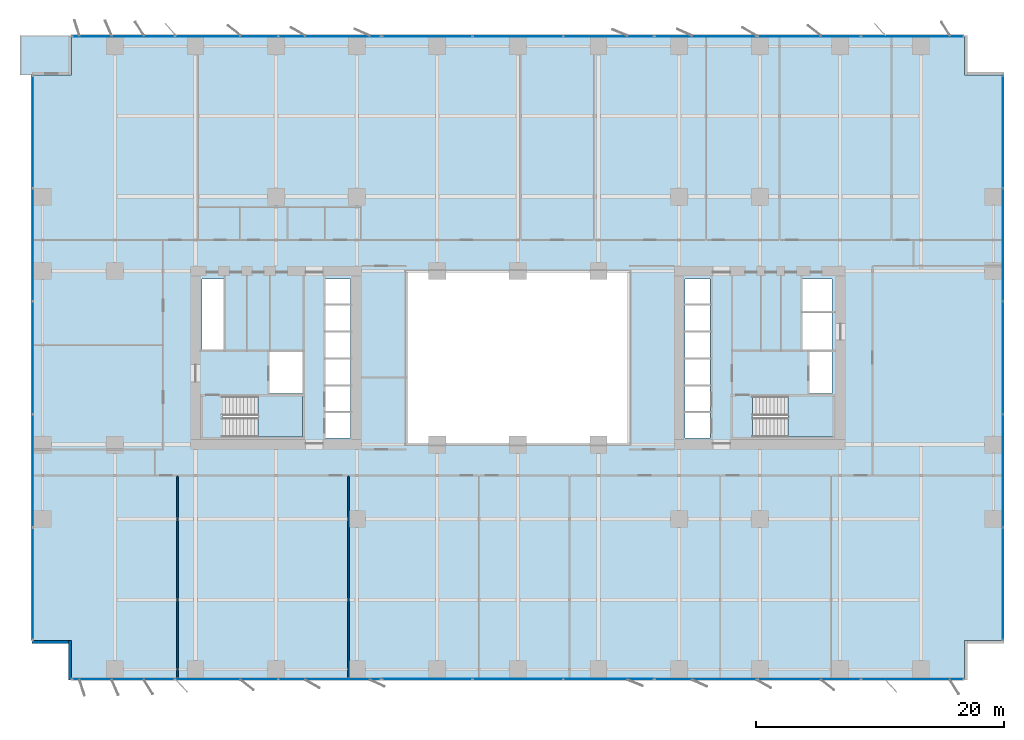
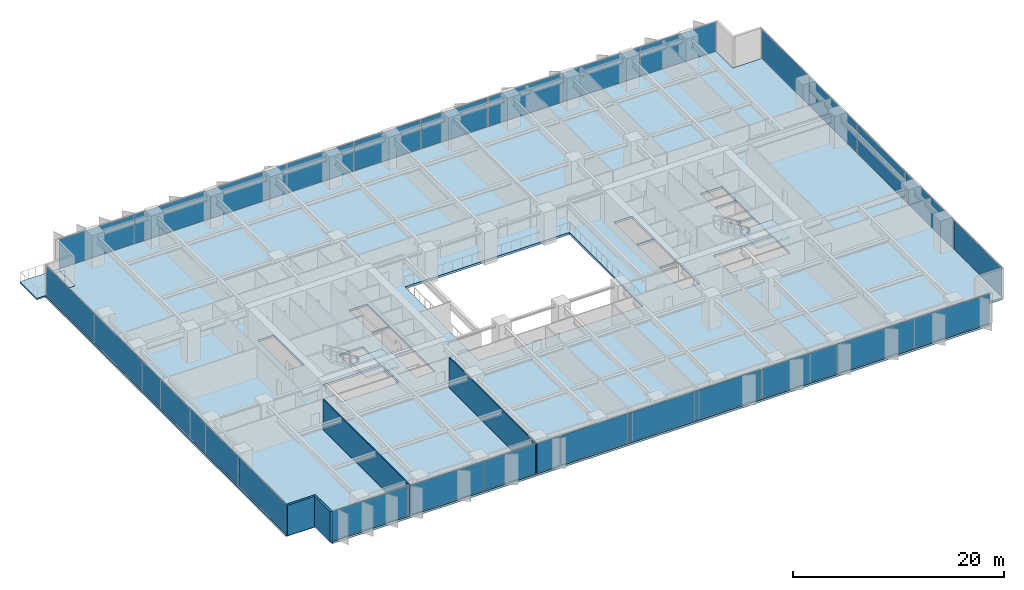
# One storey, part 12 of 20: 28 plates, 4 slabs, 4 walls, 10 elements without a shape of their own.
"""IFC4 building model written with IfcOpenShell, lengths in metres."""

from ifc_helpers import new_model, si_unit, direction, frame, frame_2d, origin, origin_2d, place, context, subcontext, project, spatial, polyline, rectangle, outline, extrude, material, layer, layer_set, type_object, element, aggregate, save


model = new_model("IFC4")

# Units and contexts
model_context = context("Model", 3, precision=1e-05, world=origin(), true_north=direction((0.0, 1.0)))
body_context = subcontext(model_context, "Body", "Model", "MODEL_VIEW")
ifc_project = project(units=[si_unit("LENGTHUNIT", "METRE"), si_unit("AREAUNIT", "SQUARE_METRE"), si_unit("VOLUMEUNIT", "CUBIC_METRE"), si_unit("PLANEANGLEUNIT", "RADIAN"), si_unit("MASSUNIT", "GRAM", prefix="KILO")], contexts=[model_context])

# Site, building, storey
site_placement = place(None, origin())
site = spatial("IfcSite", under=ifc_project, at=site_placement, CompositionType="ELEMENT")
building_placement = place(site_placement, origin())
building = spatial("IfcBuilding", under=site, at=building_placement, Name="Putna Gate Headquarters", CompositionType="ELEMENT")
storey_placement = place(building_placement, frame((0.0, 0.0, 77.199951171875)))
storey = spatial("IfcBuildingStorey", under=building, at=storey_placement, Name="L18", CompositionType="ELEMENT", Elevation=77.199951171875)

# Stair, slab
ifc_material_1 = material(Name="Concrete C40/50", Category="concrete")
stair_type_1 = type_object("IfcStairType", Name="STAIR-ST1", PredefinedType="HALF_TURN_STAIR", material=ifc_material_1)
stair_1_placement = place(storey_placement, origin())
stair_1 = element("IfcStair", 1, at=stair_1_placement, inside=storey, type_object=stair_type_1, Name="L18 West Core Exit Stair ST1", PredefinedType="HALF_TURN_STAIR")
ifc_layer_1 = layer(ifc_material_1, 0.199951171875)
ifc_layer_set_1 = layer_set([ifc_layer_1], Name="Concrete C40/50")
slab_type_1 = type_object("IfcSlabType", Name="LANDING-ST1", PredefinedType="LANDING", material=ifc_layer_set_1)
slab_1_placement = place(storey_placement, frame((0.0, 0.0, 1.699951171875)))
slab_1 = element("IfcSlab", 2, at=slab_1_placement, type_object=slab_type_1, Name="ST1 landing 1", PredefinedType="LANDING", context=body_context, shape_type="SweptSolid", body=[
    extrude(outline(polyline([(18.050048828125, 19.60009765625), (21.64990234375, 19.60009765625), (21.64990234375, 22.89990234375), (18.050048828125, 22.89990234375), (18.050048828125, 19.60009765625)])), origin(), (0.0, 0.0, 1.0), 0.2001953125),
])
aggregate(stair_1, [slab_1])

stair_type_2 = type_object("IfcStairType", Name="STAIR-ST2", PredefinedType="HALF_TURN_STAIR", material=ifc_material_1)
stair_2_placement = place(storey_placement, origin())
stair_2 = element("IfcStair", 3, at=stair_2_placement, inside=storey, type_object=stair_type_2, Name="L18 East Core Exit Stair ST2", PredefinedType="HALF_TURN_STAIR")
ifc_layer_2 = layer(ifc_material_1, 0.199951171875)
ifc_layer_set_2 = layer_set([ifc_layer_2], Name="Concrete C40/50")
slab_type_2 = type_object("IfcSlabType", Name="LANDING-ST2", PredefinedType="LANDING", material=ifc_layer_set_2)
slab_2_placement = place(storey_placement, frame((0.0, 0.0, 1.699951171875)))
slab_2 = element("IfcSlab", 4, at=slab_2_placement, type_object=slab_type_2, Name="ST2 landing 1", PredefinedType="LANDING", context=body_context, shape_type="SweptSolid", body=[
    extrude(outline(polyline([(60.800048828125, 19.60009765625), (64.39990234375, 19.60009765625), (64.39990234375, 22.89990234375), (60.800048828125, 22.89990234375), (60.800048828125, 19.60009765625)])), origin(), (0.0, 0.0, 1.0), 0.2001953125),
])
aggregate(stair_2, [slab_2])

# Curtain wall, plates
ifc_material_2 = material(Name="Anodised bronze aluminium curtain wall", Category="aluminium")
ifc_layer_3 = layer(ifc_material_2, 0.179931640625)
ifc_layer_set_3 = layer_set([ifc_layer_3], Name="Anodised bronze aluminium curtain wall")
curtain_wall_type_1 = type_object("IfcCurtainWallType", Name="CW-SYS-Z1", PredefinedType="USERDEFINED", material=ifc_layer_set_3)
curtain_wall_1_placement = place(storey_placement, origin())
curtain_wall_1 = element("IfcCurtainWall", 5, at=curtain_wall_1_placement, inside=storey, type_object=curtain_wall_type_1, Name="L18 South West Curtain Wall", ObjectType="STICK CURTAIN WALL", PredefinedType="USERDEFINED")
ifc_material_3 = material(Name="Solar-control triple low-E glass", Category="glass")
ifc_layer_4 = layer(ifc_material_3, 0.031982421875)
ifc_layer_set_4 = layer_set([ifc_layer_4], Name="Solar-control triple low-E glass")
plate_type_1 = type_object("IfcPlateType", Name="PAN-CWP-1", PredefinedType="CURTAIN_PANEL", material=ifc_layer_set_4)
plate_1_placement = place(storey_placement, frame((7.18408203125, 0.080078125, 0.06494140625), z_axis=(0.0, 0.0, 1.0), x_axis=(1.0, 0.0, 0.0)))
plate_1 = element("IfcPlate", 6, at=plate_1_placement, type_object=plate_type_1, Name="CWS-1 panel 1.1", PredefinedType="CURTAIN_PANEL", context=body_context, shape_type="SweptSolid", body=[
    extrude(rectangle(XDim=8.228271484375, YDim=0.031982421875, at=origin_2d()), origin(), (0.0, 0.0, 1.0), 3.389892578125),
])
plate_2_placement = place(storey_placement, frame((15.5, 0.080078125, 0.06494140625), z_axis=(0.0, 0.0, 1.0), x_axis=(1.0, 0.0, 0.0)))
plate_2 = element("IfcPlate", 7, at=plate_2_placement, type_object=plate_type_1, Name="CWS-1 panel 2.1", PredefinedType="CURTAIN_PANEL", context=body_context, shape_type="SweptSolid", body=[
    extrude(rectangle(XDim=8.263427734375, YDim=0.031982421875, at=origin_2d()), origin(), (0.0, 0.0, 1.0), 3.389892578125),
])
plate_3_placement = place(storey_placement, frame((23.81591796875, 0.080078125, 0.06494140625), z_axis=(0.0, 0.0, 1.0), x_axis=(1.0, 0.0, 0.0)))
plate_3 = element("IfcPlate", 8, at=plate_3_placement, type_object=plate_type_1, Name="CWS-1 panel 3.1", PredefinedType="CURTAIN_PANEL", context=body_context, shape_type="SweptSolid", body=[
    extrude(rectangle(XDim=8.228271484375, YDim=0.031982421875, at=origin_2d()), origin(), (0.0, 0.0, 1.0), 3.389892578125),
])
aggregate(curtain_wall_1, [plate_1, plate_2, plate_3])

curtain_wall_2_placement = place(storey_placement, origin())
curtain_wall_2 = element("IfcCurtainWall", 9, at=curtain_wall_2_placement, inside=storey, type_object=curtain_wall_type_1, Name="L18 South East Curtain Wall", ObjectType="STICK CURTAIN WALL", PredefinedType="USERDEFINED")
plate_4_placement = place(storey_placement, frame((54.18408203125, 0.080078125, 0.06494140625), z_axis=(0.0, 0.0, 1.0), x_axis=(1.0, 0.0, 0.0)))
plate_4 = element("IfcPlate", 10, at=plate_4_placement, type_object=plate_type_1, Name="CWS-1 panel 1.1", PredefinedType="CURTAIN_PANEL", context=body_context, shape_type="SweptSolid", body=[
    extrude(rectangle(XDim=8.228271484375, YDim=0.031982421875, at=origin_2d()), origin(), (0.0, 0.0, 1.0), 3.389892578125),
])
plate_5_placement = place(storey_placement, frame((62.5, 0.080078125, 0.06494140625), z_axis=(0.0, 0.0, 1.0), x_axis=(1.0, 0.0, 0.0)))
plate_5 = element("IfcPlate", 11, at=plate_5_placement, type_object=plate_type_1, Name="CWS-1 panel 2.1", PredefinedType="CURTAIN_PANEL", context=body_context, shape_type="SweptSolid", body=[
    extrude(rectangle(XDim=8.263427734375, YDim=0.031982421875, at=origin_2d()), origin(), (0.0, 0.0, 1.0), 3.389892578125),
])
plate_6_placement = place(storey_placement, frame((70.81591796875, 0.080078125, 0.06494140625), z_axis=(0.0, 0.0, 1.0), x_axis=(1.0, 0.0, 0.0)))
plate_6 = element("IfcPlate", 12, at=plate_6_placement, type_object=plate_type_1, Name="CWS-1 panel 3.1", PredefinedType="CURTAIN_PANEL", context=body_context, shape_type="SweptSolid", body=[
    extrude(rectangle(XDim=8.228271484375, YDim=0.031982421875, at=origin_2d()), origin(), (0.0, 0.0, 1.0), 3.389892578125),
])
aggregate(curtain_wall_2, [plate_4, plate_5, plate_6])

curtain_wall_3_placement = place(storey_placement, origin())
curtain_wall_3 = element("IfcCurtainWall", 13, at=curtain_wall_3_placement, inside=storey, type_object=curtain_wall_type_1, Name="L18 North West Curtain Wall", ObjectType="STICK CURTAIN WALL", PredefinedType="USERDEFINED")
plate_7_placement = place(storey_placement, frame((7.18408203125, 51.919921875, 0.06494140625), z_axis=(0.0, 0.0, 1.0), x_axis=(1.0, 0.0, 0.0)))
plate_7 = element("IfcPlate", 14, at=plate_7_placement, type_object=plate_type_1, Name="CWS-1 panel 1.1", PredefinedType="CURTAIN_PANEL", context=body_context, shape_type="SweptSolid", body=[
    extrude(rectangle(XDim=8.228271484375, YDim=0.031982421875, at=origin_2d()), origin(), (0.0, 0.0, 1.0), 3.389892578125),
])
plate_8_placement = place(storey_placement, frame((15.5, 51.919921875, 0.06494140625), z_axis=(0.0, 0.0, 1.0), x_axis=(1.0, 0.0, 0.0)))
plate_8 = element("IfcPlate", 15, at=plate_8_placement, type_object=plate_type_1, Name="CWS-1 panel 2.1", PredefinedType="CURTAIN_PANEL", context=body_context, shape_type="SweptSolid", body=[
    extrude(rectangle(XDim=8.263427734375, YDim=0.031982421875, at=origin_2d()), origin(), (0.0, 0.0, 1.0), 3.389892578125),
])
plate_9_placement = place(storey_placement, frame((23.81591796875, 51.919921875, 0.06494140625), z_axis=(0.0, 0.0, 1.0), x_axis=(1.0, 0.0, 0.0)))
plate_9 = element("IfcPlate", 16, at=plate_9_placement, type_object=plate_type_1, Name="CWS-1 panel 3.1", PredefinedType="CURTAIN_PANEL", context=body_context, shape_type="SweptSolid", body=[
    extrude(rectangle(XDim=8.228271484375, YDim=0.031982421875, at=origin_2d()), origin(), (0.0, 0.0, 1.0), 3.389892578125),
])
aggregate(curtain_wall_3, [plate_7, plate_8, plate_9])

curtain_wall_4_placement = place(storey_placement, origin())
curtain_wall_4 = element("IfcCurtainWall", 17, at=curtain_wall_4_placement, inside=storey, type_object=curtain_wall_type_1, Name="L18 North East Curtain Wall", ObjectType="STICK CURTAIN WALL", PredefinedType="USERDEFINED")
plate_10_placement = place(storey_placement, frame((54.18408203125, 51.919921875, 0.06494140625), z_axis=(0.0, 0.0, 1.0), x_axis=(1.0, 0.0, 0.0)))
plate_10 = element("IfcPlate", 18, at=plate_10_placement, type_object=plate_type_1, Name="CWS-1 panel 1.1", PredefinedType="CURTAIN_PANEL", context=body_context, shape_type="SweptSolid", body=[
    extrude(rectangle(XDim=8.228271484375, YDim=0.031982421875, at=origin_2d()), origin(), (0.0, 0.0, 1.0), 3.389892578125),
])
plate_11_placement = place(storey_placement, frame((62.5, 51.919921875, 0.06494140625), z_axis=(0.0, 0.0, 1.0), x_axis=(1.0, 0.0, 0.0)))
plate_11 = element("IfcPlate", 19, at=plate_11_placement, type_object=plate_type_1, Name="CWS-1 panel 2.1", PredefinedType="CURTAIN_PANEL", context=body_context, shape_type="SweptSolid", body=[
    extrude(rectangle(XDim=8.263427734375, YDim=0.031982421875, at=origin_2d()), origin(), (0.0, 0.0, 1.0), 3.389892578125),
])
plate_12_placement = place(storey_placement, frame((70.81591796875, 51.919921875, 0.06494140625), z_axis=(0.0, 0.0, 1.0), x_axis=(1.0, 0.0, 0.0)))
plate_12 = element("IfcPlate", 20, at=plate_12_placement, type_object=plate_type_1, Name="CWS-1 panel 3.1", PredefinedType="CURTAIN_PANEL", context=body_context, shape_type="SweptSolid", body=[
    extrude(rectangle(XDim=8.228271484375, YDim=0.031982421875, at=origin_2d()), origin(), (0.0, 0.0, 1.0), 3.389892578125),
])
aggregate(curtain_wall_4, [plate_10, plate_11, plate_12])

curtain_wall_5_placement = place(storey_placement, origin())
curtain_wall_5 = element("IfcCurtainWall", 21, at=curtain_wall_5_placement, inside=storey, type_object=curtain_wall_type_1, Name="L18 West Curtain Wall", ObjectType="STICK CURTAIN WALL", PredefinedType="USERDEFINED")
plate_13_placement = place(storey_placement, frame((-0.1201171875, 7.777587890625, 0.06494140625), z_axis=(0.0, 0.0, 1.0), x_axis=(0.0, 1.0, 0.0)))
plate_13 = element("IfcPlate", 22, at=plate_13_placement, type_object=plate_type_1, Name="CWS-1 panel 1.1", PredefinedType="CURTAIN_PANEL", context=body_context, shape_type="SweptSolid", body=[
    extrude(rectangle(XDim=9.014892578125, YDim=0.031982421875, at=origin_2d()), origin(), (0.0, 0.0, 1.0), 3.389892578125),
])
plate_14_placement = place(storey_placement, frame((-0.1201171875, 16.8798828125, 0.06494140625), z_axis=(0.0, 0.0, 1.0), x_axis=(0.0, 1.0, 0.0)))
plate_14 = element("IfcPlate", 23, at=plate_14_placement, type_object=plate_type_1, Name="CWS-1 panel 2.1", PredefinedType="CURTAIN_PANEL", context=body_context, shape_type="SweptSolid", body=[
    extrude(rectangle(XDim=9.050048828125, YDim=0.031982421875, at=origin_2d()), origin(), (0.0, 0.0, 1.0), 3.389892578125),
])
plate_15_placement = place(storey_placement, frame((-0.1201171875, 26.0, 0.06494140625), z_axis=(0.0, 0.0, 1.0), x_axis=(0.0, 1.0, 0.0)))
plate_15 = element("IfcPlate", 24, at=plate_15_placement, type_object=plate_type_1, Name="CWS-1 panel 3.1", PredefinedType="CURTAIN_PANEL", context=body_context, shape_type="SweptSolid", body=[
    extrude(rectangle(XDim=9.050048828125, YDim=0.031982421875, at=origin_2d()), origin(), (0.0, 0.0, 1.0), 3.389892578125),
])
plate_16_placement = place(storey_placement, frame((-0.1201171875, 35.1201171875, 0.06494140625), z_axis=(0.0, 0.0, 1.0), x_axis=(0.0, 1.0, 0.0)))
plate_16 = element("IfcPlate", 25, at=plate_16_placement, type_object=plate_type_1, Name="CWS-1 panel 4.1", PredefinedType="CURTAIN_PANEL", context=body_context, shape_type="SweptSolid", body=[
    extrude(rectangle(XDim=9.050048828125, YDim=0.031982421875, at=origin_2d()), origin(), (0.0, 0.0, 1.0), 3.389892578125),
])
plate_17_placement = place(storey_placement, frame((-0.1201171875, 44.222412109375, 0.06494140625), z_axis=(0.0, 0.0, 1.0), x_axis=(0.0, 1.0, 0.0)))
plate_17 = element("IfcPlate", 26, at=plate_17_placement, type_object=plate_type_1, Name="CWS-1 panel 5.1", PredefinedType="CURTAIN_PANEL", context=body_context, shape_type="SweptSolid", body=[
    extrude(rectangle(XDim=9.014892578125, YDim=0.031982421875, at=origin_2d()), origin(), (0.0, 0.0, 1.0), 3.389892578125),
])
aggregate(curtain_wall_5, [plate_13, plate_14, plate_15, plate_16, plate_17])

curtain_wall_6_placement = place(storey_placement, origin())
curtain_wall_6 = element("IfcCurtainWall", 27, at=curtain_wall_6_placement, inside=storey, type_object=curtain_wall_type_1, Name="L18 East Curtain Wall", ObjectType="STICK CURTAIN WALL", PredefinedType="USERDEFINED")
plate_18_placement = place(storey_placement, frame((78.1201171875, 7.777587890625, 0.06494140625), z_axis=(0.0, 0.0, 1.0), x_axis=(0.0, 1.0, 0.0)))
plate_18 = element("IfcPlate", 28, at=plate_18_placement, type_object=plate_type_1, Name="CWS-1 panel 1.1", PredefinedType="CURTAIN_PANEL", context=body_context, shape_type="SweptSolid", body=[
    extrude(rectangle(XDim=9.014892578125, YDim=0.031982421875, at=origin_2d()), origin(), (0.0, 0.0, 1.0), 3.389892578125),
])
plate_19_placement = place(storey_placement, frame((78.1201171875, 16.8798828125, 0.06494140625), z_axis=(0.0, 0.0, 1.0), x_axis=(0.0, 1.0, 0.0)))
plate_19 = element("IfcPlate", 29, at=plate_19_placement, type_object=plate_type_1, Name="CWS-1 panel 2.1", PredefinedType="CURTAIN_PANEL", context=body_context, shape_type="SweptSolid", body=[
    extrude(rectangle(XDim=9.050048828125, YDim=0.031982421875, at=origin_2d()), origin(), (0.0, 0.0, 1.0), 3.389892578125),
])
plate_20_placement = place(storey_placement, frame((78.1201171875, 26.0, 0.06494140625), z_axis=(0.0, 0.0, 1.0), x_axis=(0.0, 1.0, 0.0)))
plate_20 = element("IfcPlate", 30, at=plate_20_placement, type_object=plate_type_1, Name="CWS-1 panel 3.1", PredefinedType="CURTAIN_PANEL", context=body_context, shape_type="SweptSolid", body=[
    extrude(rectangle(XDim=9.050048828125, YDim=0.031982421875, at=origin_2d()), origin(), (0.0, 0.0, 1.0), 3.389892578125),
])
plate_21_placement = place(storey_placement, frame((78.1201171875, 35.1201171875, 0.06494140625), z_axis=(0.0, 0.0, 1.0), x_axis=(0.0, 1.0, 0.0)))
plate_21 = element("IfcPlate", 31, at=plate_21_placement, type_object=plate_type_1, Name="CWS-1 panel 4.1", PredefinedType="CURTAIN_PANEL", context=body_context, shape_type="SweptSolid", body=[
    extrude(rectangle(XDim=9.050048828125, YDim=0.031982421875, at=origin_2d()), origin(), (0.0, 0.0, 1.0), 3.389892578125),
])
plate_22_placement = place(storey_placement, frame((78.1201171875, 44.222412109375, 0.06494140625), z_axis=(0.0, 0.0, 1.0), x_axis=(0.0, 1.0, 0.0)))
plate_22 = element("IfcPlate", 32, at=plate_22_placement, type_object=plate_type_1, Name="CWS-1 panel 5.1", PredefinedType="CURTAIN_PANEL", context=body_context, shape_type="SweptSolid", body=[
    extrude(rectangle(XDim=9.014892578125, YDim=0.031982421875, at=origin_2d()), origin(), (0.0, 0.0, 1.0), 3.389892578125),
])
aggregate(curtain_wall_6, [plate_18, plate_19, plate_20, plate_21, plate_22])

ifc_layer_5 = layer(ifc_material_2, 0.179931640625)
ifc_layer_set_5 = layer_set([ifc_layer_5], Name="Anodised bronze aluminium curtain wall")
curtain_wall_type_2 = type_object("IfcCurtainWallType", Name="CW-SYS-ATR", PredefinedType="USERDEFINED", material=ifc_layer_set_5)
curtain_wall_7_placement = place(storey_placement, origin())
curtain_wall_7 = element("IfcCurtainWall", 33, at=curtain_wall_7_placement, inside=storey, type_object=curtain_wall_type_2, Name="L18 South Atrium Clear Glazing", ObjectType="ATRIUM GLAZING", PredefinedType="USERDEFINED")
ifc_material_4 = material(Name="Clear low-iron triple glazing", Category="glass")
ifc_layer_6 = layer(ifc_material_4, 0.0400390625)
ifc_layer_set_6 = layer_set([ifc_layer_6], Name="Clear low-iron triple glazing")
plate_type_2 = type_object("IfcPlateType", Name="PAN-CWP-AT", PredefinedType="CURTAIN_PANEL", material=ifc_layer_set_6)
plate_23_placement = place(storey_placement, frame((31.68408203125, 0.080078125, 0.070068359375), z_axis=(0.0, 0.0, 1.0), x_axis=(1.0, 0.0, 0.0)))
plate_23 = element("IfcPlate", 34, at=plate_23_placement, type_object=plate_type_2, Name="CWS-AT panel 1.1", PredefinedType="CURTAIN_PANEL", context=body_context, shape_type="SweptSolid", body=[
    extrude(rectangle(XDim=7.228271484375, YDim=0.0400390625, at=origin_2d()), origin(), (0.0, 0.0, 1.0), 3.3798828125),
])
plate_24_placement = place(storey_placement, frame((39.0, 0.080078125, 0.070068359375), z_axis=(0.0, 0.0, 1.0), x_axis=(1.0, 0.0, 0.0)))
plate_24 = element("IfcPlate", 35, at=plate_24_placement, type_object=plate_type_2, Name="CWS-AT panel 2.1", PredefinedType="CURTAIN_PANEL", context=body_context, shape_type="SweptSolid", body=[
    extrude(rectangle(XDim=7.263427734375, YDim=0.0400390625, at=origin_2d()), origin(), (0.0, 0.0, 1.0), 3.3798828125),
])
plate_25_placement = place(storey_placement, frame((46.31591796875, 0.080078125, 0.070068359375), z_axis=(0.0, 0.0, 1.0), x_axis=(1.0, 0.0, 0.0)))
plate_25 = element("IfcPlate", 36, at=plate_25_placement, type_object=plate_type_2, Name="CWS-AT panel 3.1", PredefinedType="CURTAIN_PANEL", context=body_context, shape_type="SweptSolid", body=[
    extrude(rectangle(XDim=7.228271484375, YDim=0.0400390625, at=origin_2d()), origin(), (0.0, 0.0, 1.0), 3.3798828125),
])
aggregate(curtain_wall_7, [plate_23, plate_24, plate_25])

curtain_wall_8_placement = place(storey_placement, origin())
curtain_wall_8 = element("IfcCurtainWall", 37, at=curtain_wall_8_placement, inside=storey, type_object=curtain_wall_type_2, Name="L18 North Atrium Clear Glazing", ObjectType="ATRIUM GLAZING", PredefinedType="USERDEFINED")
plate_26_placement = place(storey_placement, frame((31.68408203125, 51.919921875, 0.070068359375), z_axis=(0.0, 0.0, 1.0), x_axis=(1.0, 0.0, 0.0)))
plate_26 = element("IfcPlate", 38, at=plate_26_placement, type_object=plate_type_2, Name="CWS-AT panel 1.1", PredefinedType="CURTAIN_PANEL", context=body_context, shape_type="SweptSolid", body=[
    extrude(rectangle(XDim=7.228271484375, YDim=0.0400390625, at=origin_2d()), origin(), (0.0, 0.0, 1.0), 3.3798828125),
])
plate_27_placement = place(storey_placement, frame((39.0, 51.919921875, 0.070068359375), z_axis=(0.0, 0.0, 1.0), x_axis=(1.0, 0.0, 0.0)))
plate_27 = element("IfcPlate", 39, at=plate_27_placement, type_object=plate_type_2, Name="CWS-AT panel 2.1", PredefinedType="CURTAIN_PANEL", context=body_context, shape_type="SweptSolid", body=[
    extrude(rectangle(XDim=7.263427734375, YDim=0.0400390625, at=origin_2d()), origin(), (0.0, 0.0, 1.0), 3.3798828125),
])
plate_28_placement = place(storey_placement, frame((46.31591796875, 51.919921875, 0.070068359375), z_axis=(0.0, 0.0, 1.0), x_axis=(1.0, 0.0, 0.0)))
plate_28 = element("IfcPlate", 40, at=plate_28_placement, type_object=plate_type_2, Name="CWS-AT panel 3.1", PredefinedType="CURTAIN_PANEL", context=body_context, shape_type="SweptSolid", body=[
    extrude(rectangle(XDim=7.228271484375, YDim=0.0400390625, at=origin_2d()), origin(), (0.0, 0.0, 1.0), 3.3798828125),
])
aggregate(curtain_wall_8, [plate_26, plate_27, plate_28])

# Slabs
ifc_layer_7 = layer(ifc_material_1, 0.179931640625)
ifc_layer_set_7 = layer_set([ifc_layer_7], Name="Concrete C40/50")
slab_type_3 = type_object("IfcSlabType", Name="SLAB-TERRACE-180", PredefinedType="FLOOR", material=ifc_layer_set_7)
slab_3_placement = place(storey_placement, frame((0.0, 0.0, -0.179931640625)))
element("IfcSlab", 41, at=slab_3_placement, inside=storey, type_object=slab_type_3, Name="L18 Spiral Sky-Garden Terrace Slab (NW)", PredefinedType="FLOOR", context=body_context, shape_type="SweptSolid", body=[
    extrude(outline(polyline([(-1.14990234375, 48.7919921875), (3.008056640625, 48.7919921875), (3.008056640625, 52.0), (-1.14990234375, 52.0), (-1.14990234375, 48.7919921875)])), origin(), (0.0, 0.0, 1.0), 0.179931640625),
])
ifc_layer_8 = layer(ifc_material_1, 0.25)
ifc_layer_set_8 = layer_set([ifc_layer_8], Name="Concrete C40/50")
slab_type_4 = type_object("IfcSlabType", Name="SLAB-Z1-250", PredefinedType="FLOOR", material=ifc_layer_set_8)
slab_4_placement = place(storey_placement, frame((0.0, 0.0, -0.25)))
element("IfcSlab", 42, at=slab_4_placement, inside=storey, type_object=slab_type_4, Name="L18 Composite Floor Slab", PredefinedType="FLOOR", context=body_context, shape_type="SweptSolid", body=[
    extrude(outline(polyline([(3.0, 0.0), (75.0, 0.0), (75.0, 3.199951171875), (78.199951171875, 3.199951171875), (78.199951171875, 48.800048828125), (75.0, 48.800048828125), (75.0, 52.0), (3.0, 52.0), (3.0, 48.800048828125), (-0.199951171875, 48.800048828125), (-0.199951171875, 3.199951171875), (3.0, 3.199951171875), (3.0, 0.0)]), holes=[polyline([(15.1650390625, 19.60009765625), (21.64990234375, 19.60009765625), (21.64990234375, 22.89990234375), (15.1650390625, 22.89990234375), (15.1650390625, 19.60009765625)]), polyline([(57.9150390625, 19.60009765625), (64.39990234375, 19.60009765625), (64.39990234375, 22.89990234375), (57.9150390625, 22.89990234375), (57.9150390625, 19.60009765625)]), polyline([(13.52001953125, 26.659912109375), (15.280029296875, 26.659912109375), (15.280029296875, 32.35009765625), (13.52001953125, 32.35009765625), (13.52001953125, 26.659912109375)]), polyline([(61.969970703125, 29.780029296875), (64.35009765625, 29.780029296875), (64.35009765625, 32.35009765625), (61.969970703125, 32.35009765625), (61.969970703125, 29.780029296875)]), polyline([(18.97998046875, 23.1201171875), (21.6201171875, 23.1201171875), (21.6201171875, 26.4599609375), (18.97998046875, 26.4599609375), (18.97998046875, 23.1201171875)]), polyline([(62.52001953125, 23.1201171875), (64.35009765625, 23.1201171875), (64.35009765625, 26.4599609375), (62.52001953125, 26.4599609375), (62.52001953125, 23.1201171875)]), polyline([(61.969970703125, 26.659912109375), (64.35009765625, 26.659912109375), (64.35009765625, 29.6201171875), (61.969970703125, 29.6201171875), (61.969970703125, 26.659912109375)]), polyline([(23.5, 19.52001953125), (25.5, 19.52001953125), (25.5, 23.699951171875), (23.5, 23.699951171875), (23.5, 19.52001953125)]), polyline([(52.47998046875, 19.52001953125), (54.5, 19.52001953125), (54.5, 23.699951171875), (52.47998046875, 23.699951171875), (52.47998046875, 19.52001953125)]), polyline([(23.5, 23.860107421875), (25.5, 23.860107421875), (25.5, 28.0400390625), (23.5, 28.0400390625), (23.5, 23.860107421875)]), polyline([(52.47998046875, 23.860107421875), (54.5, 23.860107421875), (54.5, 28.0400390625), (52.47998046875, 28.0400390625), (52.47998046875, 23.860107421875)]), polyline([(23.5, 28.199951171875), (25.5, 28.199951171875), (25.5, 32.35009765625), (23.5, 32.35009765625), (23.5, 28.199951171875)]), polyline([(52.47998046875, 28.199951171875), (54.5, 28.199951171875), (54.5, 32.35009765625), (52.47998046875, 32.35009765625), (52.47998046875, 28.199951171875)]), polyline([(30.0, 19.0), (48.0, 19.0), (48.0, 33.0), (30.0, 33.0), (30.0, 19.0)])]), origin(), (0.0, 0.0, 1.0), 0.25),
])

# Walls
ifc_material_5 = material(Name="Precast concrete C40/50", Category="concrete")
ifc_layer_9 = layer(ifc_material_5, 0.239990234375)
ifc_layer_set_9 = layer_set([ifc_layer_9], Name="Precast concrete C40/50")
wall_type_1 = type_object("IfcWallType", Name="WALL-EXT-TERR-240", PredefinedType="STANDARD", material=ifc_layer_set_9)
for number, where, z_axis, x_axis, name in (
    (43, (2.8798828125, 0.0, 0.0), (0.0, 0.0, 1.0), (0.0, 1.0, 0.0), "L18 Corner Notch Return Wall SW-V"),
    (44, (3.0, 3.080078125, 0.0), (0.0, 0.0, 1.0), (-1.0, 0.0, 0.0), "L18 Corner Notch Return Wall SW-H"),
):
    element("IfcWall", number, at=place(storey_placement, frame(where, z_axis=z_axis, x_axis=x_axis)), inside=storey, type_object=wall_type_1, Name=name, PredefinedType="STANDARD", context=body_context, shape_type="SweptSolid", body=[
        extrude(rectangle(XDim=3.199951171875, YDim=0.239990234375, at=frame_2d((1.60009765625, 0.0))), origin(), (0.0, 0.0, 1.0), 3.52001953125),
    ])
ifc_material_6 = material(Name="Acoustic gypsum board on metal stud")
ifc_layer_10 = layer(ifc_material_6, 0.1201171875)
ifc_layer_set_10 = layer_set([ifc_layer_10], Name="Acoustic gypsum board on metal stud")
wall_type_2 = type_object("IfcWallType", Name="WALL-PART-120", PredefinedType="PARTITIONING", material=ifc_layer_set_10)
for number, where, z_axis, x_axis, name in (
    (45, (11.54541015625, 0.02001953125, 0.0), (0.0, 0.0, 1.0), (0.0, 1.0, 0.0), "L18 Interior Wall PART-L18-SB-DIV-01"),
    (46, (25.335205078125, 0.02001953125, 0.0), (0.0, 0.0, 1.0), (0.0, 1.0, 0.0), "L18 Interior Wall PART-L18-SB-DIV-02"),
):
    element("IfcWall", number, at=place(storey_placement, frame(where, z_axis=z_axis, x_axis=x_axis)), inside=storey, type_object=wall_type_2, Name=name, PredefinedType="PARTITIONING", context=body_context, shape_type="SweptSolid", body=[
        extrude(rectangle(XDim=16.419921875, YDim=0.1201171875, at=frame_2d((8.2099609375, 0.0))), origin(), (0.0, 0.0, 1.0), 3.52001953125),
    ])

save(model, "model.ifc")
